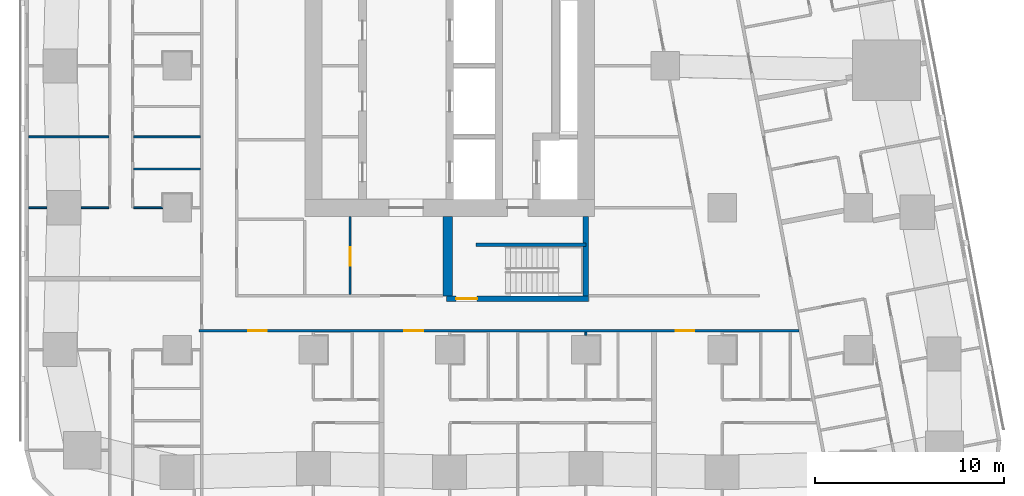
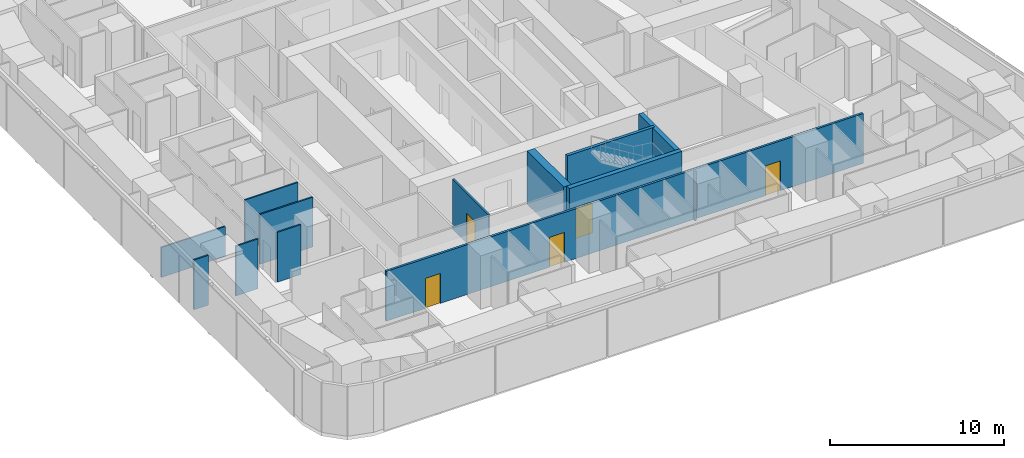
# One storey, part 4 of 15: 13 walls, 5 doors, 5 openings.
"""IFC4 building model written with IfcOpenShell, lengths in metres."""

import ifcopenshell
import ifcopenshell.guid

model = None  # the IFC model being written
_history = None  # IfcOwnerHistory: only IFC2X3 demands one
_inside = {}  # id of a spatial element -> (the spatial element, [elements in it])
_under = {}  # id of a project, library or spatial element -> (it, [spatial elements below it])
_declared = {}  # id of a project -> (the project, [libraries it declares])
_typed = {}  # id of a type object -> (the type object, [elements of that type])
_made_of = {}  # id of a material, layer set ... -> (it, [elements and type objects made of it])


def new_model(schema):
    """Start an empty IFC model of exactly this schema.

    Asked for "IFC4X3", IfcOpenShell would pick the latest addendum, in which some entities
    have other attributes; the version numbers below select the first issue.
    IFC2X3 requires an IfcOwnerHistory on every rooted entity: one is made here for all.
    """
    global model, _history
    if schema == "IFC4X3":
        model = ifcopenshell.file(schema_version=(4, 3, 0, 0))
    else:
        model = ifcopenshell.file(schema=schema)
    _inside.clear()
    _under.clear()
    _declared.clear()
    _typed.clear()
    _made_of.clear()
    _history = None
    if model.schema == "IFC2X3":
        org = make("IfcOrganization", Name="unknown")
        user = make(
            "IfcPersonAndOrganization",
            ThePerson=make("IfcPerson", FamilyName="unknown"),
            TheOrganization=org,
        )
        app = make(
            "IfcApplication",
            ApplicationDeveloper=org,
            Version="unknown",
            ApplicationFullName="unknown",
            ApplicationIdentifier="unknown",
        )
        _history = make(
            "IfcOwnerHistory",
            OwningUser=user,
            OwningApplication=app,
            ChangeAction="ADDED",
            CreationDate=0,
        )
    return model


def make(cls, **values):
    """One entity of the class cls with the attributes given. An attribute that is None is left unset."""
    return model.create_entity(
        cls, **{name: value for name, value in values.items() if value is not None}
    )


def rooted(cls, **values):
    """An entity with a GlobalId (a new one), such as an element, a storey or a relation."""
    return make(cls, GlobalId=ifcopenshell.guid.new(), OwnerHistory=_history, **values)


def si_unit(unit_type, name, prefix=None):
    """IfcSIUnit, for example si_unit("LENGTHUNIT", "METRE", prefix="MILLI")."""
    return make("IfcSIUnit", UnitType=unit_type, Prefix=prefix, Name=name)


def assignment(units):
    """IfcUnitAssignment: the units of a project."""
    return None if units is None else make("IfcUnitAssignment", Units=units)


def point(xyz):
    """IfcCartesianPoint."""
    return None if xyz is None else make("IfcCartesianPoint", Coordinates=xyz)


def direction(xyz):
    """IfcDirection."""
    return None if xyz is None else make("IfcDirection", DirectionRatios=xyz)


def frame(location, z_axis=None, x_axis=None):
    """IfcAxis2Placement3D, a coordinate frame: its origin and axes. An axis left out is left unset."""
    return make(
        "IfcAxis2Placement3D",
        Location=point(location),
        Axis=direction(z_axis),
        RefDirection=direction(x_axis),
    )


def frame_2d(location, x_axis=None):
    """IfcAxis2Placement2D, a coordinate frame in the plane: its origin and x axis."""
    return make(
        "IfcAxis2Placement2D", Location=point(location), RefDirection=direction(x_axis)
    )


def origin():
    """The frame at (0, 0, 0) with its axes left unset."""
    return frame((0.0, 0.0, 0.0))


def place(relative_to, where):
    """IfcLocalPlacement: puts the frame where relative to a parent placement (None: the world)."""
    return make(
        "IfcLocalPlacement", PlacementRelTo=relative_to, RelativePlacement=where
    )


def context(
    kind, dimensions, precision=None, world=None, true_north=None, identifier=None
):
    """IfcGeometricRepresentationContext, for example the 3D "Model" context."""
    return make(
        "IfcGeometricRepresentationContext",
        ContextIdentifier=identifier,
        ContextType=kind,
        CoordinateSpaceDimension=dimensions,
        Precision=precision,
        WorldCoordinateSystem=world,
        TrueNorth=true_north,
    )


def subcontext(parent, identifier, kind, view, scale=None):
    """IfcGeometricRepresentationSubContext, for example "Body" below "Model"."""
    return make(
        "IfcGeometricRepresentationSubContext",
        ContextIdentifier=identifier,
        ContextType=kind,
        ParentContext=parent,
        TargetScale=scale,
        TargetView=view,
    )


def project(units=None, contexts=None):
    """IfcProject with its units and contexts."""
    return rooted(
        "IfcProject",
        Name="project",
        RepresentationContexts=contexts,
        UnitsInContext=assignment(units),
    )


def spatial(cls, under=None, at=None, **own):
    """A site, building, storey or space (cls), placed at a placement, below another one or the project."""
    s = rooted(cls, ObjectPlacement=at, **own)
    if under is not None:
        _under.setdefault(under.id(), (under, []))[1].append(s)
    return s


def profile(cls, at=None, kind="AREA", **sizes):
    """A parametric profile (cls). Its sizes go by their IFC names, for example OverallWidth=200.0."""
    return make(cls, ProfileType=kind, Position=at, **sizes)


def rectangle(**sizes):
    """IfcRectangleProfileDef."""
    return profile("IfcRectangleProfileDef", **sizes)


def extrude(swept, where, along, depth):
    """IfcExtrudedAreaSolid: the profile swept, set in the frame where, extruded along a direction by depth."""
    return make(
        "IfcExtrudedAreaSolid",
        SweptArea=swept,
        Position=where,
        ExtrudedDirection=direction(along),
        Depth=depth,
    )


def shape(context_of_items, identifier, shape_type, items):
    """IfcShapeRepresentation: the items that make up one representation, for example the "Body"."""
    return make(
        "IfcShapeRepresentation",
        ContextOfItems=context_of_items,
        RepresentationIdentifier=identifier,
        RepresentationType=shape_type,
        Items=items,
    )


def material(Name=None, Category=None):
    """IfcMaterial."""
    return make("IfcMaterial", Name=Name, Category=Category)


def layer(
    of_material, thickness, ventilated=None, Name=None, Category=None, Priority=None
):
    """IfcMaterialLayer: one layer of a wall or slab, of a material (None: an air gap)."""
    return make(
        "IfcMaterialLayer",
        Material=of_material,
        LayerThickness=thickness,
        IsVentilated=ventilated,
        Name=Name,
        Category=Category,
        Priority=Priority,
    )


def layer_set(layers, Name=None):
    """IfcMaterialLayerSet."""
    return make("IfcMaterialLayerSet", MaterialLayers=layers, LayerSetName=Name)


def made_of(thing, what):
    """Note that an element or type object is made of a material, layer set ...; save() writes the relation."""
    if what is not None:
        _made_of.setdefault(what.id(), (what, []))[1].append(thing)
    return thing


def type_object(cls, material=None, **own):
    """A type object (cls), such as IfcWallType, which elements share."""
    return made_of(rooted(cls, **own), material)


def element(
    cls,
    number,
    at=None,
    inside=None,
    cuts=None,
    type_object=None,
    material=None,
    context=None,
    identifier="Body",
    shape_type=None,
    held_by="IfcProductDefinitionShape",
    body=None,
    shapes=None,
    **own,
):
    """One element of the class cls, such as IfcWall. Its Tag is "e" and its number.

    at: its placement. inside: the storey or other place that contains it. cuts: it is an
    opening in that element (IfcRelVoidsElement). A single representation is given by context,
    identifier, shape_type and body (its items); several are given by shapes. held_by: the class
    of the entity that holds the representations. save() writes the other relations.
    """
    e = rooted(cls, Tag="e%d" % number, ObjectPlacement=at, **own)
    if body is not None:
        shapes = [shape(context, identifier, shape_type, body)]
    if shapes is not None:
        e.Representation = make(held_by, Representations=shapes)
    if inside is not None:
        _inside.setdefault(inside.id(), (inside, []))[1].append(e)
    if cuts is not None:
        rooted(
            "IfcRelVoidsElement", RelatingBuildingElement=cuts, RelatedOpeningElement=e
        )
    if type_object is not None:
        _typed.setdefault(type_object.id(), (type_object, []))[1].append(e)
    return made_of(e, material)


def fill(opening, filler):
    """IfcRelFillsElement: the door or window that sits in an opening."""
    return rooted(
        "IfcRelFillsElement",
        RelatingOpeningElement=opening,
        RelatedBuildingElement=filler,
    )


def aggregate(whole, parts):
    """IfcRelAggregates: a whole, such as a stair, and the parts it consists of."""
    return rooted("IfcRelAggregates", RelatingObject=whole, RelatedObjects=parts)


def save(model, path):
    """Write the relations noted so far, then the file.

    IfcRelAggregates (storeys below a building ...), IfcRelContainedInSpatialStructure (elements
    in a storey), IfcRelDefinesByType, IfcRelAssociatesMaterial and IfcRelDeclares: one each for
    every whole, place, type object, material and project.
    """
    for whole, parts in _under.values():
        aggregate(whole, parts)
    for where, things in _inside.values():
        rooted(
            "IfcRelContainedInSpatialStructure",
            RelatedElements=things,
            RelatingStructure=where,
        )
    for kind, things in _typed.values():
        rooted("IfcRelDefinesByType", RelatedObjects=things, RelatingType=kind)
    for what, things in _made_of.values():
        rooted("IfcRelAssociatesMaterial", RelatedObjects=things, RelatingMaterial=what)
    for by, libraries in _declared.values():
        rooted("IfcRelDeclares", RelatingContext=by, RelatedDefinitions=libraries)
    model.write(path)


model = new_model("IFC4")

# Units and contexts
model_context = context("Model", 3, precision=1e-05, world=origin(), true_north=direction((0.0, 1.0)))
body_context = subcontext(model_context, "Body", "Model", "MODEL_VIEW")
ifc_project = project(units=[si_unit("LENGTHUNIT", "METRE"), si_unit("AREAUNIT", "SQUARE_METRE"), si_unit("VOLUMEUNIT", "CUBIC_METRE"), si_unit("PLANEANGLEUNIT", "RADIAN"), si_unit("MASSUNIT", "GRAM", prefix="KILO")], contexts=[model_context])

# Site, building, storey
site_placement = place(None, origin())
site = spatial("IfcSite", under=ifc_project, at=site_placement, CompositionType="ELEMENT")
building_placement = place(site_placement, origin())
building = spatial("IfcBuilding", under=site, at=building_placement, Name="Sheger Commons Tower", CompositionType="ELEMENT")
storey_placement = place(building_placement, frame((0.0, 0.0, 143.300048828125)))
storey = spatial("IfcBuildingStorey", under=building, at=storey_placement, Name="L36", CompositionType="ELEMENT", Elevation=143.300048828125)

# Wall, openings, doors
ifc_material_1 = material(Name="Hollow concrete block masonry, skimmed both sides", Category="masonry")
ifc_layer_1 = layer(ifc_material_1, 0.14990234375)
ifc_layer_set_1 = layer_set([ifc_layer_1], Name="CORRIDOR WALL 150")
wall_type_1 = type_object("IfcWallType", Name="CORRIDOR WALL 150", PredefinedType="SOLIDWALL", material=ifc_layer_set_1)
wall_1_placement = place(storey_placement, frame((40.052978515625, 8.5, 0.0), z_axis=(0.0, 0.0, 1.0), x_axis=(-1.0, 0.0, 0.0)))
wall_1 = element("IfcWall", 1, at=wall_1_placement, inside=storey, type_object=wall_type_1, Name="Corridor wall L36", PredefinedType="SOLIDWALL", context=body_context, shape_type="SweptSolid", body=[
    extrude(rectangle(XDim=31.702880859375, YDim=0.14990234375, at=frame_2d((15.8515625, 0.0))), origin(), (0.0, 0.0, 1.0), 3.5),
])
opening_1_placement = place(wall_1_placement, frame((28.10302734375, 0.0, 0.0)))
opening_1 = element("IfcOpeningElement", 2, at=opening_1_placement, cuts=wall_1, Name="Opening D1", PredefinedType="OPENING", context=body_context, shape_type="SweptSolid", body=[
    extrude(rectangle(XDim=1.0, YDim=2.10009765625, at=frame_2d((0.5, 1.050048828125))), frame((0.0, 0.0849609375, 0.0), z_axis=(0.0, -1.0, 0.0), x_axis=(1.0, 0.0, 0.0)), (0.0, 0.0, 1.0), 0.169921875),
])
opening_2_placement = place(wall_1_placement, frame((19.85302734375, 0.0, 0.0)))
opening_2 = element("IfcOpeningElement", 3, at=opening_2_placement, cuts=wall_1, Name="Opening D1", PredefinedType="OPENING", context=body_context, shape_type="SweptSolid", body=[
    extrude(rectangle(XDim=1.0, YDim=2.10009765625, at=frame_2d((0.5, 1.050048828125))), frame((0.0, 0.0849609375, 0.0), z_axis=(0.0, -1.0, 0.0), x_axis=(1.0, 0.0, 0.0)), (0.0, 0.0, 1.0), 0.169921875),
])
opening_3_placement = place(wall_1_placement, frame((5.513916015625, 0.0, 0.0)))
opening_3 = element("IfcOpeningElement", 4, at=opening_3_placement, cuts=wall_1, Name="Opening D1", PredefinedType="OPENING", context=body_context, shape_type="SweptSolid", body=[
    extrude(rectangle(XDim=1.0, YDim=2.10009765625, at=frame_2d((0.5, 1.050048828125))), frame((0.0, 0.0849609375, 0.0), z_axis=(0.0, -1.0, 0.0), x_axis=(1.0, 0.0, 0.0)), (0.0, 0.0, 1.0), 0.169921875),
])
ifc_material_2 = material(Name="Steel door set, fire rated", Category="steel")
door_type_1 = type_object("IfcDoorType", Name="FLAT ENTRANCE DOOR 1000x2100", OperationType="NOTDEFINED", PredefinedType="DOOR", material=ifc_material_2)
door_1_placement = place(opening_1_placement, origin())
door_1 = element("IfcDoor", 5, at=door_1_placement, inside=storey, type_object=door_type_1, Name="Flat entrance door", OperationType="SINGLE_SWING_RIGHT", OverallHeight=2.10009765625, OverallWidth=1.0, PredefinedType="DOOR", context=body_context, shape_type="SweptSolid", body=[
    extrude(rectangle(XDim=1.0, YDim=2.10009765625, at=frame_2d((0.5, 1.050048828125))), frame((0.0, 0.02490234375, 0.0), z_axis=(0.0, -1.0, 0.0), x_axis=(1.0, 0.0, 0.0)), (0.0, 0.0, 1.0), 0.050048828125),
])
fill(opening_1, door_1)
door_2_placement = place(opening_2_placement, origin())
door_2 = element("IfcDoor", 6, at=door_2_placement, inside=storey, type_object=door_type_1, Name="Flat entrance door", OperationType="SINGLE_SWING_RIGHT", OverallHeight=2.10009765625, OverallWidth=1.0, PredefinedType="DOOR", context=body_context, shape_type="SweptSolid", body=[
    extrude(rectangle(XDim=1.0, YDim=2.10009765625, at=frame_2d((0.5, 1.050048828125))), frame((0.0, 0.02490234375, 0.0), z_axis=(0.0, -1.0, 0.0), x_axis=(1.0, 0.0, 0.0)), (0.0, 0.0, 1.0), 0.050048828125),
])
fill(opening_2, door_2)
door_3_placement = place(opening_3_placement, origin())
door_3 = element("IfcDoor", 7, at=door_3_placement, inside=storey, type_object=door_type_1, Name="Flat entrance door", OperationType="SINGLE_SWING_RIGHT", OverallHeight=2.10009765625, OverallWidth=1.0, PredefinedType="DOOR", context=body_context, shape_type="SweptSolid", body=[
    extrude(rectangle(XDim=1.0, YDim=2.10009765625, at=frame_2d((0.5, 1.050048828125))), frame((0.0, 0.02490234375, 0.0), z_axis=(0.0, -1.0, 0.0), x_axis=(1.0, 0.0, 0.0)), (0.0, 0.0, 1.0), 0.050048828125),
])
fill(opening_3, door_3)

# Walls
ifc_material_3 = material(Name="Gypsum board on steel studs", Category="steel")
ifc_layer_2 = layer(ifc_material_3, 0.10009765625)
ifc_layer_set_2 = layer_set([ifc_layer_2], Name="PARTITION 100")
wall_type_2 = type_object("IfcWallType", Name="PARTITION 100", PredefinedType="PARTITIONING", material=ifc_layer_set_2)
wall_2_placement = place(storey_placement, frame((-0.64990234375, 15.0, 0.0), z_axis=(0.0, 0.0, 1.0), x_axis=(1.0, 0.0, 0.0)))
element("IfcWall", 8, at=wall_2_placement, inside=storey, type_object=wall_type_2, Name="Partition L36", PredefinedType="PARTITIONING", context=body_context, shape_type="SweptSolid", body=[
    extrude(rectangle(XDim=0.973876953125, YDim=0.10009765625, at=frame_2d((0.48681640625, 0.0))), origin(), (0.0, 0.0, 1.0), 3.5),
])
wall_3_placement = place(storey_placement, frame((2.1259765625, 15.0, 0.0), z_axis=(0.0, 0.0, 1.0), x_axis=(1.0, 0.0, 0.0)))
element("IfcWall", 9, at=wall_3_placement, inside=storey, type_object=wall_type_2, Name="Partition L36", PredefinedType="PARTITIONING", context=body_context, shape_type="SweptSolid", body=[
    extrude(rectangle(XDim=1.47412109375, YDim=0.10009765625, at=frame_2d((0.737060546875, 0.0))), origin(), (0.0, 0.0, 1.0), 3.5),
])
wall_4_placement = place(storey_placement, frame((-0.64990234375, 18.75, 0.0), z_axis=(0.0, 0.0, 1.0), x_axis=(1.0, 0.0, 0.0)))
element("IfcWall", 10, at=wall_4_placement, inside=storey, type_object=wall_type_2, Name="Partition L36", PredefinedType="PARTITIONING", context=body_context, shape_type="SweptSolid", body=[
    extrude(rectangle(XDim=4.25, YDim=0.10009765625, at=frame_2d((2.125, 0.0))), origin(), (0.0, 0.0, 1.0), 2.099853515625),
])
wall_5_placement = place(storey_placement, frame((4.89990234375, 15.0, 0.0), z_axis=(0.0, 0.0, 1.0), x_axis=(1.0, 0.0, 0.0)))
element("IfcWall", 11, at=wall_5_placement, inside=storey, type_object=wall_type_2, Name="Partition L36", PredefinedType="PARTITIONING", context=body_context, shape_type="SweptSolid", body=[
    extrude(rectangle(XDim=1.549072265625, YDim=0.10009765625, at=frame_2d((0.7744140625, 0.0))), origin(), (0.0, 0.0, 1.0), 3.5),
])
for number, where, z_axis, x_axis, name in (
    (12, (4.89990234375, 18.75, 0.0), (0.0, 0.0, 1.0), (1.0, 0.0, 0.0), "Partition L36"),
    (13, (4.89990234375, 17.050048828125, 0.0), (0.0, 0.0, 1.0), (1.0, 0.0, 0.0), "Partition L36"),
):
    element("IfcWall", number, at=place(storey_placement, frame(where, z_axis=z_axis, x_axis=x_axis)), inside=storey, type_object=wall_type_2, Name=name, PredefinedType="PARTITIONING", context=body_context, shape_type="SweptSolid", body=[
        extrude(rectangle(XDim=3.525146484375, YDim=0.10009765625, at=frame_2d((1.7626953125, 0.0))), origin(), (0.0, 0.0, 1.0), 3.5),
    ])
wall_6_placement = place(storey_placement, frame((28.800048828125, 8.2509765625, 0.0), z_axis=(0.0, 0.0, 1.0), x_axis=(0.0, 1.0, 0.0)))
element("IfcWall", 14, at=wall_6_placement, inside=storey, type_object=wall_type_2, Name="Partition L36", PredefinedType="PARTITIONING", context=body_context, shape_type="SweptSolid", body=[
    extrude(rectangle(XDim=0.174072265625, YDim=0.10009765625, at=frame_2d((0.0869140625, 0.0))), origin(), (0.0, 0.0, 1.0), 3.5),
])

# Wall, opening, door
ifc_material_4 = material(Name="Gypsum board on steel studs, two layers each side, fire rated", Category="steel")
ifc_layer_3 = layer(ifc_material_4, 0.125)
ifc_layer_set_3 = layer_set([ifc_layer_3], Name="SERVICE WALL 125")
wall_type_3 = type_object("IfcWallType", Name="SERVICE WALL 125", PredefinedType="PARTITIONING", material=ifc_layer_set_3)
wall_7_placement = place(storey_placement, frame((16.340087890625, 10.4130859375, 0.0), z_axis=(0.0, 0.0, 1.0), x_axis=(0.0, 1.0, 0.0)))
wall_7 = element("IfcWall", 15, at=wall_7_placement, inside=storey, type_object=wall_type_3, Name="Service room wall L36", PredefinedType="PARTITIONING", context=body_context, shape_type="SweptSolid", body=[
    extrude(rectangle(XDim=4.136962890625, YDim=0.125, at=frame_2d((2.068359375, 0.0))), origin(), (0.0, 0.0, 1.0), 3.5),
])
opening_4_placement = place(wall_7_placement, frame((1.511962890625, 0.0, 0.0)))
opening_4 = element("IfcOpeningElement", 16, at=opening_4_placement, cuts=wall_7, Name="Opening D4", PredefinedType="OPENING", context=body_context, shape_type="SweptSolid", body=[
    extrude(rectangle(XDim=1.0, YDim=2.10009765625, at=frame_2d((0.5, 1.050048828125))), frame((0.0, 0.072509765625, 0.0), z_axis=(0.0, -1.0, 0.0), x_axis=(1.0, 0.0, 0.0)), (0.0, 0.0, 1.0), 0.14501953125),
])
ifc_material_5 = material(Name="Steel door set, fire rated", Category="steel")
door_type_2 = type_object("IfcDoorType", Name="SERVICE DOOR 1000x2100", OperationType="NOTDEFINED", PredefinedType="DOOR", material=ifc_material_5)
door_4_placement = place(opening_4_placement, origin())
door_4 = element("IfcDoor", 17, at=door_4_placement, inside=storey, type_object=door_type_2, Name="Electrical room door", OperationType="SINGLE_SWING_LEFT", OverallHeight=2.10009765625, OverallWidth=1.0, PredefinedType="DOOR", context=body_context, shape_type="SweptSolid", body=[
    extrude(rectangle(XDim=1.0, YDim=2.10009765625, at=frame_2d((0.5, 1.050048828125))), frame((0.0, 0.02490234375, 0.0), z_axis=(0.0, -1.0, 0.0), x_axis=(1.0, 0.0, 0.0)), (0.0, 0.0, 1.0), 0.050048828125),
])
fill(opening_4, door_4)

ifc_material_6 = material(Name="Concrete C50/60", Category="concrete")
ifc_layer_4 = layer(ifc_material_6, 0.300048828125)
ifc_layer_set_4 = layer_set([ifc_layer_4], Name="STAIR CORE WALL 300")
wall_type_4 = type_object("IfcWallType", Name="STAIR CORE WALL 300", PredefinedType="SHEAR", material=ifc_layer_set_4)
wall_8_placement = place(storey_placement, frame((21.449951171875, 10.199951171875, 0.0), z_axis=(0.0, 0.0, 1.0), x_axis=(1.0, 0.0, 0.0)))
wall_8 = element("IfcWall", 18, at=wall_8_placement, inside=storey, type_object=wall_type_4, Name="STW-L36-S1S", PredefinedType="SHEAR", context=body_context, shape_type="SweptSolid", body=[
    extrude(rectangle(XDim=7.5, YDim=0.300048828125, at=frame_2d((3.75, 0.0))), origin(), (0.0, 0.0, 1.0), 3.75),
])
opening_5_placement = place(wall_8_placement, frame((0.5, 0.0, 0.0)))
opening_5 = element("IfcOpeningElement", 19, at=opening_5_placement, cuts=wall_8, Name="Opening D5", PredefinedType="OPENING", context=body_context, shape_type="SweptSolid", body=[
    extrude(rectangle(XDim=1.10009765625, YDim=2.10009765625, at=frame_2d((0.550048828125, 1.050048828125))), frame((0.0, 0.159912109375, 0.0), z_axis=(0.0, -1.0, 0.0), x_axis=(1.0, 0.0, 0.0)), (0.0, 0.0, 1.0), 0.320068359375),
])
ifc_material_7 = material(Name="Steel door set, fire rated", Category="steel")
door_type_3 = type_object("IfcDoorType", Name="STAIR DOOR 1100x2100", OperationType="NOTDEFINED", PredefinedType="DOOR", material=ifc_material_7)
door_5_placement = place(opening_5_placement, origin())
door_5 = element("IfcDoor", 20, at=door_5_placement, inside=storey, type_object=door_type_3, Name="Stair S1 door", OperationType="SINGLE_SWING_LEFT", OverallHeight=2.10009765625, OverallWidth=1.10009765625, PredefinedType="DOOR", context=body_context, shape_type="SweptSolid", body=[
    extrude(rectangle(XDim=1.10009765625, YDim=2.10009765625, at=frame_2d((0.550048828125, 1.050048828125))), frame((0.0, 0.02490234375, 0.0), z_axis=(0.0, -1.0, 0.0), x_axis=(1.0, 0.0, 0.0)), (0.0, 0.0, 1.0), 0.050048828125),
])
fill(opening_5, door_5)

# Walls
wall_9_placement = place(storey_placement, frame((28.800048828125, 10.35009765625, 0.0), z_axis=(0.0, 0.0, 1.0), x_axis=(0.0, 1.0, 0.0)))
element("IfcWall", 21, at=wall_9_placement, inside=storey, type_object=wall_type_4, Name="STW-L36-S1E", PredefinedType="SHEAR", context=body_context, shape_type="SweptSolid", body=[
    extrude(rectangle(XDim=4.199951171875, YDim=0.300048828125, at=frame_2d((2.10009765625, 0.0))), origin(), (0.0, 0.0, 1.0), 3.75),
])
ifc_material_8 = material(Name="Concrete C50/60", Category="concrete")
ifc_layer_5 = layer(ifc_material_8, 0.5)
ifc_layer_set_5 = layer_set([ifc_layer_5], Name="STAIR CORE WALL 500")
wall_type_5 = type_object("IfcWallType", Name="STAIR CORE WALL 500", PredefinedType="SHEAR", material=ifc_layer_set_5)
wall_10_placement = place(storey_placement, frame((21.5, 10.35009765625, 0.0), z_axis=(0.0, 0.0, 1.0), x_axis=(0.0, 1.0, 0.0)))
element("IfcWall", 22, at=wall_10_placement, inside=storey, type_object=wall_type_5, Name="STW-L36-S1W", PredefinedType="SHEAR", context=body_context, shape_type="SweptSolid", body=[
    extrude(rectangle(XDim=4.199951171875, YDim=0.5, at=frame_2d((2.10009765625, 0.0))), origin(), (0.0, 0.0, 1.0), 3.75),
])
ifc_material_9 = material(Name="Concrete C50/60", Category="concrete")
ifc_layer_6 = layer(ifc_material_9, 0.199951171875)
ifc_layer_set_6 = layer_set([ifc_layer_6], Name="STAIR SPINE WALL 200")
wall_type_6 = type_object("IfcWallType", Name="STAIR SPINE WALL 200", PredefinedType="SHEAR", material=ifc_layer_set_6)
wall_11_placement = place(storey_placement, frame((23.0, 13.050048828125, 0.0), z_axis=(0.0, 0.0, 1.0), x_axis=(1.0, 0.0, 0.0)))
element("IfcWall", 23, at=wall_11_placement, inside=storey, type_object=wall_type_6, Name="Stair spine wall L36", PredefinedType="SHEAR", context=body_context, shape_type="SweptSolid", body=[
    extrude(rectangle(XDim=5.800048828125, YDim=0.199951171875, at=frame_2d((2.89990234375, 0.0))), origin(), (0.0, 0.0, 1.0), 3.75),
])

save(model, "model.ifc")
